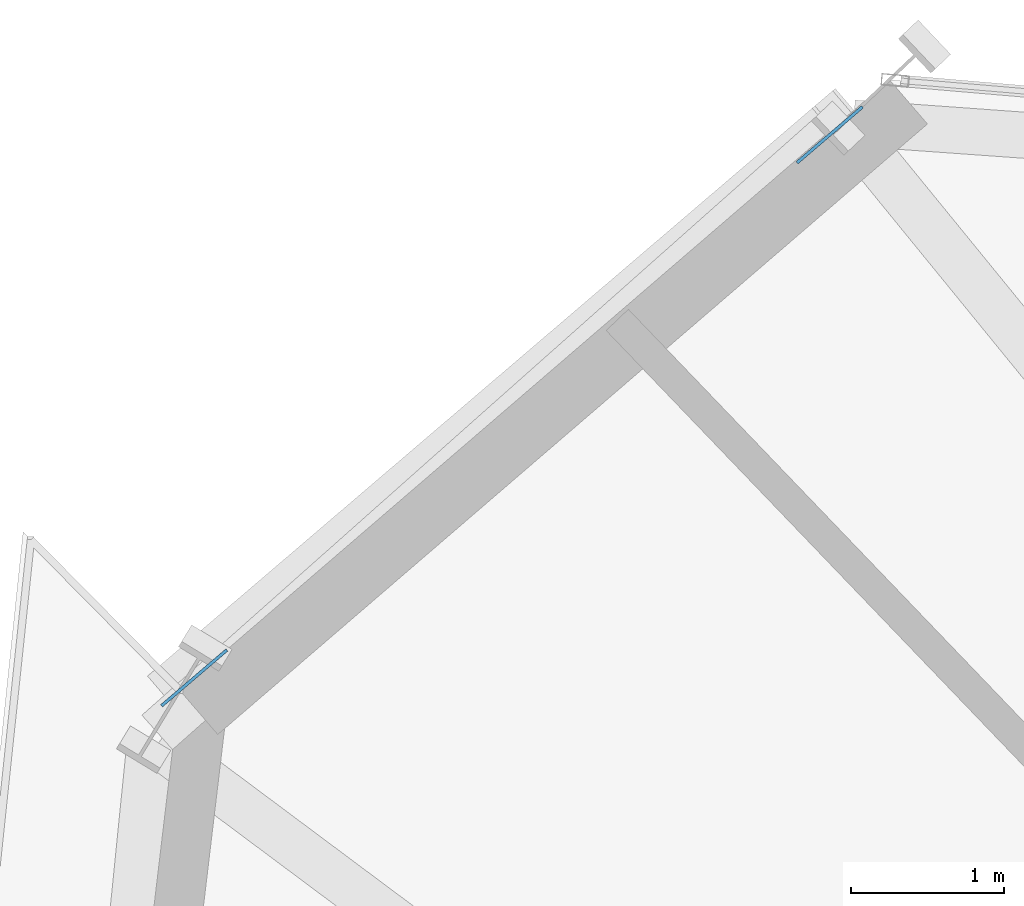
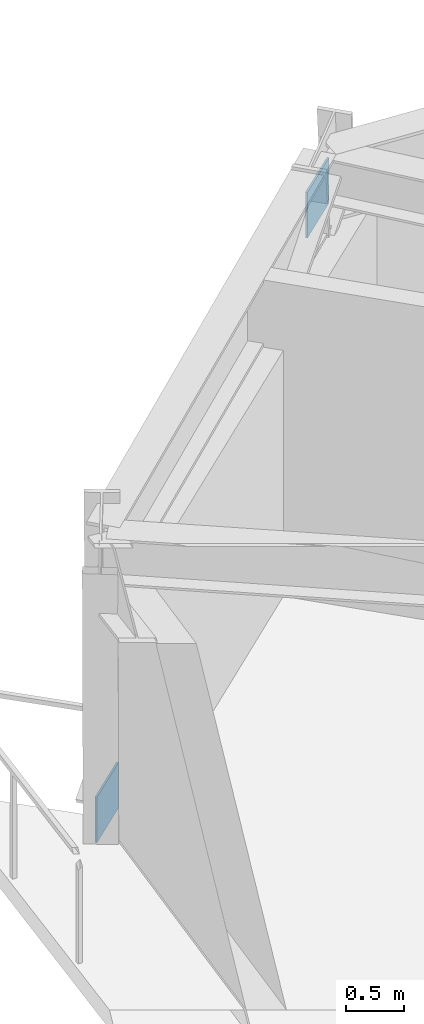
# One storey, part 14 of 21: 2 plates.
"""IFC4 building model written with IfcOpenShell, lengths in metres."""

from ifc_helpers import new_model, si_unit, direction, frame, origin, origin_2d, place, context, subcontext, project, spatial, rectangle, extrude, source, transform, mapped, material, type_object, element, save


model = new_model("IFC4")

# Units and contexts
model_context = context("Model", 3, precision=1e-05, world=origin(), true_north=direction((0.0, 1.0)))
body_context = subcontext(model_context, "Body", "Model", "MODEL_VIEW")
ifc_project = project(units=[si_unit("LENGTHUNIT", "METRE"), si_unit("AREAUNIT", "SQUARE_METRE"), si_unit("VOLUMEUNIT", "CUBIC_METRE"), si_unit("PLANEANGLEUNIT", "RADIAN"), si_unit("MASSUNIT", "GRAM", prefix="KILO")], contexts=[model_context])

# Site, building, storey
site_placement = place(None, origin())
site = spatial("IfcSite", under=ifc_project, at=site_placement, CompositionType="ELEMENT")
building_placement = place(site_placement, origin())
building = spatial("IfcBuilding", under=site, at=building_placement, Name="Olszyna Solenne Hotel", CompositionType="ELEMENT")
storey_placement = place(building_placement, frame((0.0, 0.0, 68.35009765625)))
storey = spatial("IfcBuildingStorey", under=building, at=storey_placement, Name="L17", CompositionType="ELEMENT", Elevation=68.35009765625)

# Plates
ifc_material = material(Name="Steel S355J2", Category="steel")
plate_type = type_object("IfcPlateType", Name="GP-ND2", PredefinedType="USERDEFINED", material=ifc_material)
shared_shape = source(origin(), body_context, "Body", "SweptSolid", [
    extrude(rectangle(XDim=0.56005859375, YDim=0.02001953125, at=origin_2d()), origin(), (0.0, 0.0, 1.0), 0.47998046875),
])
for number, where, z_axis, x_axis, name in (
    (1, (18.3955078125, 41.83642578125, -0.16650390625), (0.0, 0.0, 1.0), (0.760292603951, 0.649580754315, 0.0), "Brace end connection gusset plate GP-ND2 EP-BR-L17-2-1"),
    (2, (22.536865234375, 45.37548828125, 2.611328125), (0.0, 0.0, 1.0), (0.760292603951, 0.649580754315, 0.0), "Brace end connection gusset plate GP-ND2 EP-BR-L17-2-2"),
):
    element("IfcPlate", number, at=place(storey_placement, frame(where, z_axis=z_axis, x_axis=x_axis)), inside=storey, type_object=plate_type, Name=name, ObjectType="GUSSET_PLATE", PredefinedType="USERDEFINED", context=body_context, shape_type="MappedRepresentation", body=[
        mapped(shared_shape, transform((0.0, 0.0, 0.0), x_axis=(1.0, 0.0, 0.0), y_axis=(0.0, 1.0, 0.0), z_axis=(0.0, 0.0, 1.0), scale=1.0)),
    ])

save(model, "model.ifc")
